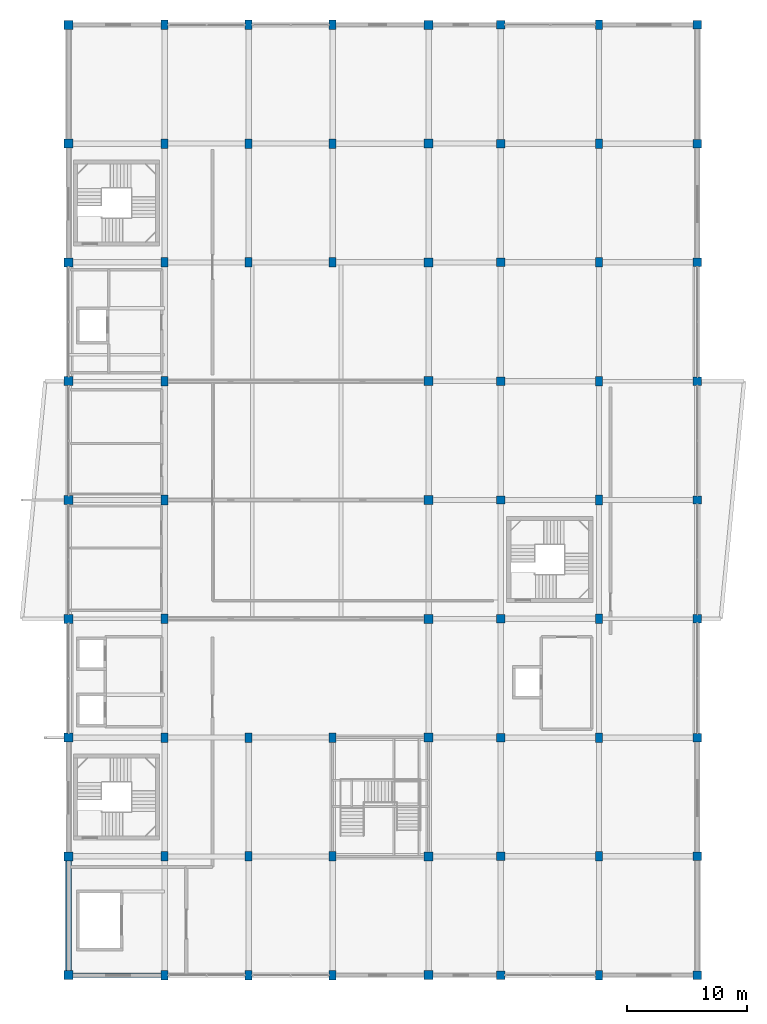
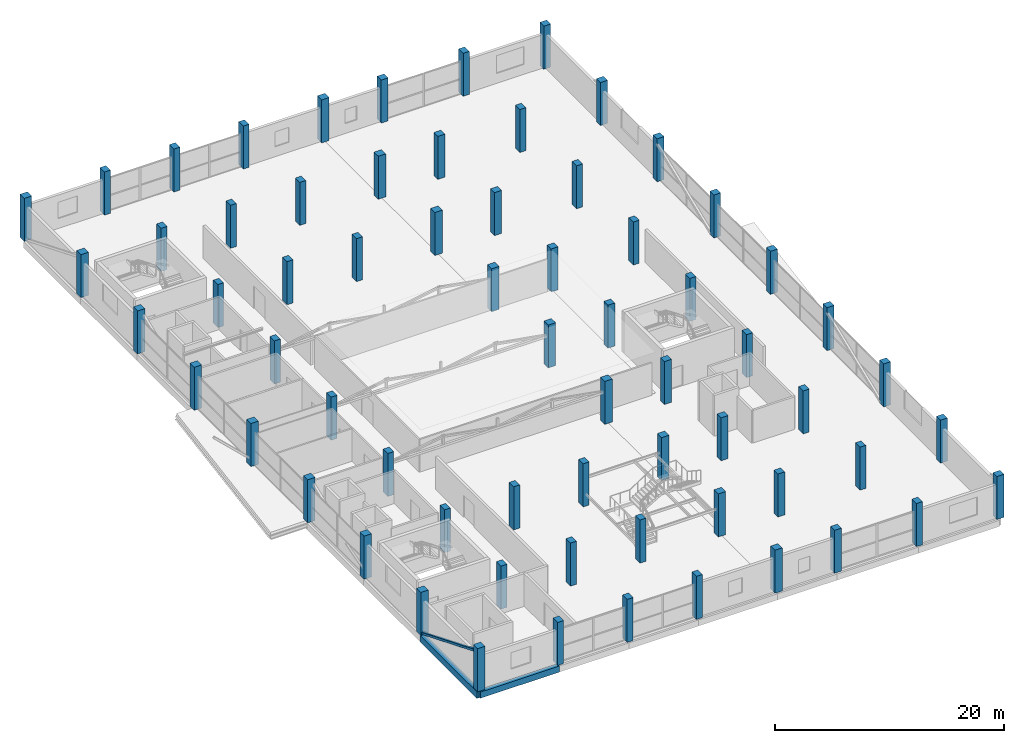
# One storey, part 1 of 58: 66 columns, 2 beams, 1 member.
"""IFC4 building model written with IfcOpenShell, lengths in metres."""

import ifcopenshell
import ifcopenshell.guid

model = None  # the IFC model being written
_history = None  # IfcOwnerHistory: only IFC2X3 demands one
_inside = {}  # id of a spatial element -> (the spatial element, [elements in it])
_under = {}  # id of a project, library or spatial element -> (it, [spatial elements below it])
_declared = {}  # id of a project -> (the project, [libraries it declares])
_typed = {}  # id of a type object -> (the type object, [elements of that type])
_made_of = {}  # id of a material, layer set ... -> (it, [elements and type objects made of it])


def new_model(schema):
    """Start an empty IFC model of exactly this schema.

    Asked for "IFC4X3", IfcOpenShell would pick the latest addendum, in which some entities
    have other attributes; the version numbers below select the first issue.
    IFC2X3 requires an IfcOwnerHistory on every rooted entity: one is made here for all.
    """
    global model, _history
    if schema == "IFC4X3":
        model = ifcopenshell.file(schema_version=(4, 3, 0, 0))
    else:
        model = ifcopenshell.file(schema=schema)
    _inside.clear()
    _under.clear()
    _declared.clear()
    _typed.clear()
    _made_of.clear()
    _history = None
    if model.schema == "IFC2X3":
        org = make("IfcOrganization", Name="unknown")
        user = make(
            "IfcPersonAndOrganization",
            ThePerson=make("IfcPerson", FamilyName="unknown"),
            TheOrganization=org,
        )
        app = make(
            "IfcApplication",
            ApplicationDeveloper=org,
            Version="unknown",
            ApplicationFullName="unknown",
            ApplicationIdentifier="unknown",
        )
        _history = make(
            "IfcOwnerHistory",
            OwningUser=user,
            OwningApplication=app,
            ChangeAction="ADDED",
            CreationDate=0,
        )
    return model


def make(cls, **values):
    """One entity of the class cls with the attributes given. An attribute that is None is left unset."""
    return model.create_entity(
        cls, **{name: value for name, value in values.items() if value is not None}
    )


def rooted(cls, **values):
    """An entity with a GlobalId (a new one), such as an element, a storey or a relation."""
    return make(cls, GlobalId=ifcopenshell.guid.new(), OwnerHistory=_history, **values)


def si_unit(unit_type, name, prefix=None):
    """IfcSIUnit, for example si_unit("LENGTHUNIT", "METRE", prefix="MILLI")."""
    return make("IfcSIUnit", UnitType=unit_type, Prefix=prefix, Name=name)


def assignment(units):
    """IfcUnitAssignment: the units of a project."""
    return None if units is None else make("IfcUnitAssignment", Units=units)


def point(xyz):
    """IfcCartesianPoint."""
    return None if xyz is None else make("IfcCartesianPoint", Coordinates=xyz)


def direction(xyz):
    """IfcDirection."""
    return None if xyz is None else make("IfcDirection", DirectionRatios=xyz)


def frame(location, z_axis=None, x_axis=None):
    """IfcAxis2Placement3D, a coordinate frame: its origin and axes. An axis left out is left unset."""
    return make(
        "IfcAxis2Placement3D",
        Location=point(location),
        Axis=direction(z_axis),
        RefDirection=direction(x_axis),
    )


def frame_2d(location, x_axis=None):
    """IfcAxis2Placement2D, a coordinate frame in the plane: its origin and x axis."""
    return make(
        "IfcAxis2Placement2D", Location=point(location), RefDirection=direction(x_axis)
    )


def origin():
    """The frame at (0, 0, 0) with its axes left unset."""
    return frame((0.0, 0.0, 0.0))


def origin_2d():
    """The frame at (0, 0) in the plane with its x axis left unset."""
    return frame_2d((0.0, 0.0))


def place(relative_to, where):
    """IfcLocalPlacement: puts the frame where relative to a parent placement (None: the world)."""
    return make(
        "IfcLocalPlacement", PlacementRelTo=relative_to, RelativePlacement=where
    )


def context(
    kind, dimensions, precision=None, world=None, true_north=None, identifier=None
):
    """IfcGeometricRepresentationContext, for example the 3D "Model" context."""
    return make(
        "IfcGeometricRepresentationContext",
        ContextIdentifier=identifier,
        ContextType=kind,
        CoordinateSpaceDimension=dimensions,
        Precision=precision,
        WorldCoordinateSystem=world,
        TrueNorth=true_north,
    )


def subcontext(parent, identifier, kind, view, scale=None):
    """IfcGeometricRepresentationSubContext, for example "Body" below "Model"."""
    return make(
        "IfcGeometricRepresentationSubContext",
        ContextIdentifier=identifier,
        ContextType=kind,
        ParentContext=parent,
        TargetScale=scale,
        TargetView=view,
    )


def project(units=None, contexts=None):
    """IfcProject with its units and contexts."""
    return rooted(
        "IfcProject",
        Name="project",
        RepresentationContexts=contexts,
        UnitsInContext=assignment(units),
    )


def spatial(cls, under=None, at=None, **own):
    """A site, building, storey or space (cls), placed at a placement, below another one or the project."""
    s = rooted(cls, ObjectPlacement=at, **own)
    if under is not None:
        _under.setdefault(under.id(), (under, []))[1].append(s)
    return s


def profile(cls, at=None, kind="AREA", **sizes):
    """A parametric profile (cls). Its sizes go by their IFC names, for example OverallWidth=200.0."""
    return make(cls, ProfileType=kind, Position=at, **sizes)


def rectangle(**sizes):
    """IfcRectangleProfileDef."""
    return profile("IfcRectangleProfileDef", **sizes)


def hollow_rectangle(**sizes):
    """IfcRectangleHollowProfileDef."""
    return profile("IfcRectangleHollowProfileDef", **sizes)


def extrude(swept, where, along, depth):
    """IfcExtrudedAreaSolid: the profile swept, set in the frame where, extruded along a direction by depth."""
    return make(
        "IfcExtrudedAreaSolid",
        SweptArea=swept,
        Position=where,
        ExtrudedDirection=direction(along),
        Depth=depth,
    )


def shape(context_of_items, identifier, shape_type, items):
    """IfcShapeRepresentation: the items that make up one representation, for example the "Body"."""
    return make(
        "IfcShapeRepresentation",
        ContextOfItems=context_of_items,
        RepresentationIdentifier=identifier,
        RepresentationType=shape_type,
        Items=items,
    )


def material(Name=None, Category=None):
    """IfcMaterial."""
    return make("IfcMaterial", Name=Name, Category=Category)


def material_profile(
    of_material, cross_section, Name=None, Category=None, Priority=None
):
    """IfcMaterialProfile: a cross section and its material."""
    return make(
        "IfcMaterialProfile",
        Name=Name,
        Material=of_material,
        Profile=cross_section,
        Priority=Priority,
        Category=Category,
    )


def profile_set(profiles, Name=None, composite=None):
    """IfcMaterialProfileSet."""
    return make(
        "IfcMaterialProfileSet",
        Name=Name,
        MaterialProfiles=profiles,
        CompositeProfile=composite,
    )


def made_of(thing, what):
    """Note that an element or type object is made of a material, layer set ...; save() writes the relation."""
    if what is not None:
        _made_of.setdefault(what.id(), (what, []))[1].append(thing)
    return thing


def type_object(cls, material=None, **own):
    """A type object (cls), such as IfcWallType, which elements share."""
    return made_of(rooted(cls, **own), material)


def element(
    cls,
    number,
    at=None,
    inside=None,
    cuts=None,
    type_object=None,
    material=None,
    context=None,
    identifier="Body",
    shape_type=None,
    held_by="IfcProductDefinitionShape",
    body=None,
    shapes=None,
    **own,
):
    """One element of the class cls, such as IfcWall. Its Tag is "e" and its number.

    at: its placement. inside: the storey or other place that contains it. cuts: it is an
    opening in that element (IfcRelVoidsElement). A single representation is given by context,
    identifier, shape_type and body (its items); several are given by shapes. held_by: the class
    of the entity that holds the representations. save() writes the other relations.
    """
    e = rooted(cls, Tag="e%d" % number, ObjectPlacement=at, **own)
    if body is not None:
        shapes = [shape(context, identifier, shape_type, body)]
    if shapes is not None:
        e.Representation = make(held_by, Representations=shapes)
    if inside is not None:
        _inside.setdefault(inside.id(), (inside, []))[1].append(e)
    if cuts is not None:
        rooted(
            "IfcRelVoidsElement", RelatingBuildingElement=cuts, RelatedOpeningElement=e
        )
    if type_object is not None:
        _typed.setdefault(type_object.id(), (type_object, []))[1].append(e)
    return made_of(e, material)


def aggregate(whole, parts):
    """IfcRelAggregates: a whole, such as a stair, and the parts it consists of."""
    return rooted("IfcRelAggregates", RelatingObject=whole, RelatedObjects=parts)


def save(model, path):
    """Write the relations noted so far, then the file.

    IfcRelAggregates (storeys below a building ...), IfcRelContainedInSpatialStructure (elements
    in a storey), IfcRelDefinesByType, IfcRelAssociatesMaterial and IfcRelDeclares: one each for
    every whole, place, type object, material and project.
    """
    for whole, parts in _under.values():
        aggregate(whole, parts)
    for where, things in _inside.values():
        rooted(
            "IfcRelContainedInSpatialStructure",
            RelatedElements=things,
            RelatingStructure=where,
        )
    for kind, things in _typed.values():
        rooted("IfcRelDefinesByType", RelatedObjects=things, RelatingType=kind)
    for what, things in _made_of.values():
        rooted("IfcRelAssociatesMaterial", RelatedObjects=things, RelatingMaterial=what)
    for by, libraries in _declared.values():
        rooted("IfcRelDeclares", RelatingContext=by, RelatedDefinitions=libraries)
    model.write(path)


model = new_model("IFC4")

# Units and contexts
model_context = context("Model", 3, precision=1e-05, world=origin(), true_north=direction((0.0, 1.0)))
body_context = subcontext(model_context, "Body", "Model", "MODEL_VIEW")
ifc_project = project(units=[si_unit("LENGTHUNIT", "METRE"), si_unit("AREAUNIT", "SQUARE_METRE"), si_unit("VOLUMEUNIT", "CUBIC_METRE"), si_unit("PLANEANGLEUNIT", "RADIAN"), si_unit("MASSUNIT", "GRAM", prefix="KILO")], contexts=[model_context])

# Site, building, storey
site_placement = place(None, origin())
site = spatial("IfcSite", under=ifc_project, at=site_placement, CompositionType="ELEMENT")
building_placement = place(site_placement, origin())
building = spatial("IfcBuilding", under=site, at=building_placement, Name="Sillaruma Civic Art Gallery", CompositionType="ELEMENT")
storey_placement = place(building_placement, frame((0.0, 0.0, 28.56005859375)))
storey = spatial("IfcBuildingStorey", under=building, at=storey_placement, Name="L05", CompositionType="ELEMENT", Elevation=28.56005859375)

# Columns
ifc_material_1 = material(Name="Concrete H40 (40 MPa)", Category="concrete")
ifc_material_profile_1 = material_profile(ifc_material_1, rectangle(XDim=0.699951171875, YDim=0.699951171875, at=origin_2d()), Name="RC700x700")
ifc_profile_set_1 = profile_set([ifc_material_profile_1], Name="Concrete H40 (40 MPa)")
column_type_1 = type_object("IfcColumnType", Name="COL-COLUMN-RC700x700", PredefinedType="COLUMN", material=ifc_profile_set_1)
for number, where, z_axis, x_axis, name in (
    (1, (98.0, 19.800048828125, 0.0), (0.0, 0.0, 1.0), (1.0, 0.0, 0.0), "Column C-06 (L05:L3)"),
    (2, (98.0, 29.699951171875, 0.0), (0.0, 0.0, 1.0), (1.0, 0.0, 0.0), "Column C-06 (L05:L4)"),
    (3, (98.0, 39.60009765625, 0.0), (0.0, 0.0, 1.0), (1.0, 0.0, 0.0), "Column C-06 (L05:L5)"),
    (4, (98.0, 49.5, 0.0), (0.0, 0.0, 1.0), (1.0, 0.0, 0.0), "Column C-06 (L05:L6)"),
    (5, (98.0, 59.39990234375, 0.0), (0.0, 0.0, 1.0), (1.0, 0.0, 0.0), "Column C-06 (L05:L7)"),
    (6, (98.0, 69.300048828125, 0.0), (0.0, 0.0, 1.0), (1.0, 0.0, 0.0), "Column C-06 (L05:L8)"),
    (7, (98.0, 79.199951171875, 0.0), (0.0, 0.0, 1.0), (1.0, 0.0, 0.0), "Column C-06 (L05:L9)"),
    (8, (98.0, 89.10009765625, 0.0), (0.0, 0.0, 1.0), (1.0, 0.0, 0.0), "Column C-06 (L05:L10)"),
    (9, (98.0, 99.0, 0.0), (0.0, 0.0, 1.0), (1.0, 0.0, 0.0), "Column C-06 (L05:L11)"),
    (10, (114.39990234375, 19.800048828125, 0.0), (0.0, 0.0, 1.0), (1.0, 0.0, 0.0), "Column C-06 (L05:N3)"),
    (11, (114.39990234375, 29.699951171875, 0.0), (0.0, 0.0, 1.0), (1.0, 0.0, 0.0), "Column C-06 (L05:N4)"),
    (12, (114.39990234375, 39.60009765625, 0.0), (0.0, 0.0, 1.0), (1.0, 0.0, 0.0), "Column C-06 (L05:N5)"),
    (13, (114.39990234375, 49.5, 0.0), (0.0, 0.0, 1.0), (1.0, 0.0, 0.0), "Column C-06 (L05:N6)"),
    (14, (114.39990234375, 59.39990234375, 0.0), (0.0, 0.0, 1.0), (1.0, 0.0, 0.0), "Column C-06 (L05:N7)"),
    (15, (114.39990234375, 69.300048828125, 0.0), (0.0, 0.0, 1.0), (1.0, 0.0, 0.0), "Column C-06 (L05:N8)"),
    (16, (114.39990234375, 79.199951171875, 0.0), (0.0, 0.0, 1.0), (1.0, 0.0, 0.0), "Column C-06 (L05:N9)"),
    (17, (114.39990234375, 89.10009765625, 0.0), (0.0, 0.0, 1.0), (1.0, 0.0, 0.0), "Column C-06 (L05:N10)"),
    (18, (114.39990234375, 99.0, 0.0), (0.0, 0.0, 1.0), (1.0, 0.0, 0.0), "Column C-06 (L05:N11)"),
):
    element("IfcColumn", number, at=place(storey_placement, frame(where, z_axis=z_axis, x_axis=x_axis)), inside=storey, type_object=column_type_1, Name=name, PredefinedType="COLUMN", context=body_context, shape_type="SweptSolid", body=[
        extrude(rectangle(XDim=0.699951171875, YDim=0.699951171875, at=origin_2d()), origin(), (0.0, 0.0, 1.0), 4.58984375),
    ])
ifc_material_profile_2 = material_profile(ifc_material_1, rectangle(XDim=0.75, YDim=0.75, at=origin_2d()), Name="RC750x750")
ifc_profile_set_2 = profile_set([ifc_material_profile_2], Name="Concrete H40 (40 MPa)")
column_type_2 = type_object("IfcColumnType", Name="COL-COLUMN-RC750x750", PredefinedType="COLUMN", material=ifc_profile_set_2)
for number, where, z_axis, x_axis, name in (
    (19, (62.0, 19.800048828125, 0.0), (0.0, 0.0, 1.0), (1.0, 0.0, 0.0), "Column C-05 (L05:F3)"),
    (20, (62.0, 29.699951171875, 0.0), (0.0, 0.0, 1.0), (1.0, 0.0, 0.0), "Column C-05 (L05:F4)"),
    (21, (62.0, 39.60009765625, 0.0), (0.0, 0.0, 1.0), (1.0, 0.0, 0.0), "Column C-05 (L05:F5)"),
    (22, (62.0, 49.5, 0.0), (0.0, 0.0, 1.0), (1.0, 0.0, 0.0), "Column C-05 (L05:F6)"),
    (23, (62.0, 59.39990234375, 0.0), (0.0, 0.0, 1.0), (1.0, 0.0, 0.0), "Column C-05 (L05:F7)"),
    (24, (62.0, 69.300048828125, 0.0), (0.0, 0.0, 1.0), (1.0, 0.0, 0.0), "Column C-05 (L05:F8)"),
    (25, (62.0, 79.199951171875, 0.0), (0.0, 0.0, 1.0), (1.0, 0.0, 0.0), "Column C-05 (L05:F9)"),
    (26, (62.0, 89.10009765625, 0.0), (0.0, 0.0, 1.0), (1.0, 0.0, 0.0), "Column C-05 (L05:F10)"),
    (27, (62.0, 99.0, 0.0), (0.0, 0.0, 1.0), (1.0, 0.0, 0.0), "Column C-05 (L05:F11)"),
    (28, (92.0, 19.800048828125, 0.0), (0.0, 0.0, 1.0), (1.0, 0.0, 0.0), "Column C-05 (L05:K3)"),
    (29, (92.0, 29.699951171875, 0.0), (0.0, 0.0, 1.0), (1.0, 0.0, 0.0), "Column C-05 (L05:K4)"),
    (30, (92.0, 39.60009765625, 0.0), (0.0, 0.0, 1.0), (1.0, 0.0, 0.0), "Column C-05 (L05:K5)"),
    (31, (92.0, 49.5, 0.0), (0.0, 0.0, 1.0), (1.0, 0.0, 0.0), "Column C-05 (L05:K6)"),
    (32, (92.0, 59.39990234375, 0.0), (0.0, 0.0, 1.0), (1.0, 0.0, 0.0), "Column C-05 (L05:K7)"),
    (33, (92.0, 69.300048828125, 0.0), (0.0, 0.0, 1.0), (1.0, 0.0, 0.0), "Column C-05 (L05:K8)"),
    (34, (92.0, 79.199951171875, 0.0), (0.0, 0.0, 1.0), (1.0, 0.0, 0.0), "Column C-05 (L05:K9)"),
    (35, (92.0, 89.10009765625, 0.0), (0.0, 0.0, 1.0), (1.0, 0.0, 0.0), "Column C-05 (L05:K10)"),
    (36, (92.0, 99.0, 0.0), (0.0, 0.0, 1.0), (1.0, 0.0, 0.0), "Column C-05 (L05:K11)"),
):
    element("IfcColumn", number, at=place(storey_placement, frame(where, z_axis=z_axis, x_axis=x_axis)), inside=storey, type_object=column_type_2, Name=name, PredefinedType="COLUMN", context=body_context, shape_type="SweptSolid", body=[
        extrude(rectangle(XDim=0.75, YDim=0.75, at=origin_2d()), origin(), (0.0, 0.0, 1.0), 4.58984375),
    ])
ifc_material_profile_3 = material_profile(ifc_material_1, rectangle(XDim=0.60009765625, YDim=0.800048828125, at=origin_2d()), Name="RC800x600")
ifc_profile_set_3 = profile_set([ifc_material_profile_3], Name="Concrete H40 (40 MPa)")
column_type_3 = type_object("IfcColumnType", Name="COL-COLUMN-RC800x600", PredefinedType="COLUMN", material=ifc_profile_set_3)
for number, where, z_axis, x_axis, name in (
    (37, (70.0, 19.800048828125, 0.0), (0.0, 0.0, 1.0), (1.0, 0.0, 0.0), "Column C-10 (L05:G3)"),
    (38, (70.0, 29.699951171875, 0.0), (0.0, 0.0, 1.0), (1.0, 0.0, 0.0), "Column C-10 (L05:G4)"),
    (39, (70.0, 39.60009765625, 0.0), (0.0, 0.0, 1.0), (1.0, 0.0, 0.0), "Column C-10 (L05:G5)"),
    (40, (70.0, 49.5, 0.0), (0.0, 0.0, 1.0), (1.0, 0.0, 0.0), "Column C-10 (L05:G6)"),
    (41, (70.0, 59.39990234375, 0.0), (0.0, 0.0, 1.0), (1.0, 0.0, 0.0), "Column C-10 (L05:G7)"),
    (42, (70.0, 69.300048828125, 0.0), (0.0, 0.0, 1.0), (1.0, 0.0, 0.0), "Column C-10 (L05:G8)"),
    (43, (70.0, 79.199951171875, 0.0), (0.0, 0.0, 1.0), (1.0, 0.0, 0.0), "Column C-10 (L05:G9)"),
    (44, (70.0, 89.10009765625, 0.0), (0.0, 0.0, 1.0), (1.0, 0.0, 0.0), "Column C-10 (L05:G10)"),
    (45, (70.0, 99.0, 0.0), (0.0, 0.0, 1.0), (1.0, 0.0, 0.0), "Column C-10 (L05:G11)"),
    (46, (77.0, 19.800048828125, 0.0), (0.0, 0.0, 1.0), (1.0, 0.0, 0.0), "Column C-10 (L05:H3)"),
    (47, (77.0, 29.699951171875, 0.0), (0.0, 0.0, 1.0), (1.0, 0.0, 0.0), "Column C-10 (L05:H4)"),
    (48, (77.0, 39.60009765625, 0.0), (0.0, 0.0, 1.0), (1.0, 0.0, 0.0), "Column C-10 (L05:H5)"),
    (49, (77.0, 79.199951171875, 0.0), (0.0, 0.0, 1.0), (1.0, 0.0, 0.0), "Column C-10 (L05:H9)"),
    (50, (77.0, 89.10009765625, 0.0), (0.0, 0.0, 1.0), (1.0, 0.0, 0.0), "Column C-10 (L05:H10)"),
    (51, (77.0, 99.0, 0.0), (0.0, 0.0, 1.0), (1.0, 0.0, 0.0), "Column C-10 (L05:H11)"),
    (52, (84.0, 19.800048828125, 0.0), (0.0, 0.0, 1.0), (1.0, 0.0, 0.0), "Column C-10 (L05:J3)"),
    (53, (84.0, 29.699951171875, 0.0), (0.0, 0.0, 1.0), (1.0, 0.0, 0.0), "Column C-10 (L05:J4)"),
    (54, (84.0, 39.60009765625, 0.0), (0.0, 0.0, 1.0), (1.0, 0.0, 0.0), "Column C-10 (L05:J5)"),
    (55, (84.0, 79.199951171875, 0.0), (0.0, 0.0, 1.0), (1.0, 0.0, 0.0), "Column C-10 (L05:J9)"),
    (56, (84.0, 89.10009765625, 0.0), (0.0, 0.0, 1.0), (1.0, 0.0, 0.0), "Column C-10 (L05:J10)"),
    (57, (84.0, 99.0, 0.0), (0.0, 0.0, 1.0), (1.0, 0.0, 0.0), "Column C-10 (L05:J11)"),
    (58, (106.199951171875, 19.800048828125, 0.0), (0.0, 0.0, 1.0), (1.0, 0.0, 0.0), "Column C-10 (L05:M3)"),
    (59, (106.199951171875, 29.699951171875, 0.0), (0.0, 0.0, 1.0), (1.0, 0.0, 0.0), "Column C-10 (L05:M4)"),
    (60, (106.199951171875, 39.60009765625, 0.0), (0.0, 0.0, 1.0), (1.0, 0.0, 0.0), "Column C-10 (L05:M5)"),
    (61, (106.199951171875, 49.5, 0.0), (0.0, 0.0, 1.0), (1.0, 0.0, 0.0), "Column C-10 (L05:M6)"),
    (62, (106.199951171875, 59.39990234375, 0.0), (0.0, 0.0, 1.0), (1.0, 0.0, 0.0), "Column C-10 (L05:M7)"),
    (63, (106.199951171875, 69.300048828125, 0.0), (0.0, 0.0, 1.0), (1.0, 0.0, 0.0), "Column C-10 (L05:M8)"),
    (64, (106.199951171875, 79.199951171875, 0.0), (0.0, 0.0, 1.0), (1.0, 0.0, 0.0), "Column C-10 (L05:M9)"),
    (65, (106.199951171875, 89.10009765625, 0.0), (0.0, 0.0, 1.0), (1.0, 0.0, 0.0), "Column C-10 (L05:M10)"),
    (66, (106.199951171875, 99.0, 0.0), (0.0, 0.0, 1.0), (1.0, 0.0, 0.0), "Column C-10 (L05:M11)"),
):
    element("IfcColumn", number, at=place(storey_placement, frame(where, z_axis=z_axis, x_axis=x_axis)), inside=storey, type_object=column_type_3, Name=name, PredefinedType="COLUMN", context=body_context, shape_type="SweptSolid", body=[
        extrude(rectangle(XDim=0.60009765625, YDim=0.800048828125, at=origin_2d()), origin(), (0.0, 0.0, 1.0), 4.58984375),
    ])

# Beams
ifc_material_2 = material(Name="Concrete H35 (35 MPa)", Category="concrete")
ifc_material_profile_4 = material_profile(ifc_material_2, rectangle(XDim=0.39990234375, YDim=0.64990234375, at=origin_2d()), Name="RCB400x650")
ifc_profile_set_4 = profile_set([ifc_material_profile_4], Name="Concrete H35 (35 MPa)")
beam_type_1 = type_object("IfcBeamType", Name="BM-SPANDREL-RCB400x650", PredefinedType="SPANDREL", material=ifc_profile_set_4)
beam_1_placement = place(storey_placement, frame((62.0, 19.800048828125, -0.60498046875), z_axis=(1.0, 0.0, 0.0), x_axis=(0.0, 1.0, 0.0)))
element("IfcBeam", 67, at=beam_1_placement, inside=storey, type_object=beam_type_1, Name="Beam BS-02 (L04:3:F-G)", PredefinedType="SPANDREL", context=body_context, shape_type="SweptSolid", body=[
    extrude(rectangle(XDim=0.39990234375, YDim=0.64990234375, at=origin_2d()), origin(), (0.0, 0.0, 1.0), 8.0),
])
ifc_material_profile_5 = material_profile(ifc_material_2, rectangle(XDim=0.449951171875, YDim=0.699951171875, at=origin_2d()), Name="RCB450x700")
ifc_profile_set_5 = profile_set([ifc_material_profile_5], Name="Concrete H35 (35 MPa)")
beam_type_2 = type_object("IfcBeamType", Name="BM-SPANDREL-RCB450x700", PredefinedType="SPANDREL", material=ifc_profile_set_5)
beam_2_placement = place(storey_placement, frame((62.0, 19.800048828125, -0.630126953125), z_axis=(0.0, 1.0, 0.0), x_axis=(-1.0, 0.0, 0.0)))
element("IfcBeam", 68, at=beam_2_placement, inside=storey, type_object=beam_type_2, Name="Beam BS-03 (L04:F:3-4)", PredefinedType="SPANDREL", context=body_context, shape_type="SweptSolid", body=[
    extrude(rectangle(XDim=0.449951171875, YDim=0.699951171875, at=origin_2d()), origin(), (0.0, 0.0, 1.0), 9.89990234375),
])

# Member
ifc_material_3 = material(Name="Structural Steel ASTM A500 Gr.C", Category="steel")
ifc_material_profile_6 = material_profile(ifc_material_3, hollow_rectangle(XDim=0.25, YDim=0.25, WallThickness=0.012451171875, InnerFilletRadius=0.012451171875, OuterFilletRadius=0.02490234375, at=origin_2d()), Name="HSS250x250x12.5")
ifc_profile_set_6 = profile_set([ifc_material_profile_6], Name="Structural Steel ASTM A500 Gr.C")
member_type = type_object("IfcMemberType", Name="MEM-MEGA-BRACE", PredefinedType="BRACE", material=ifc_profile_set_6)
member_placement = place(storey_placement, frame((61.85009765625, 29.52001953125, 0.099853515625), z_axis=(0.0, -0.925635226768, 0.378417001423), x_axis=(1.0, 0.0, 0.0)))
element("IfcMember", 69, at=member_placement, inside=storey, type_object=member_type, Name="Exterior Expressed Gallery Seismic Diagonal Brace (L05-WS)", PredefinedType="BRACE", context=body_context, shape_type="SweptSolid", body=[
    extrude(hollow_rectangle(XDim=0.25, YDim=0.25, WallThickness=0.012451171875, InnerFilletRadius=0.012451171875, OuterFilletRadius=0.02490234375, at=origin_2d()), origin(), (0.0, 0.0, 1.0), 10.306396484375),
])

save(model, "model.ifc")
